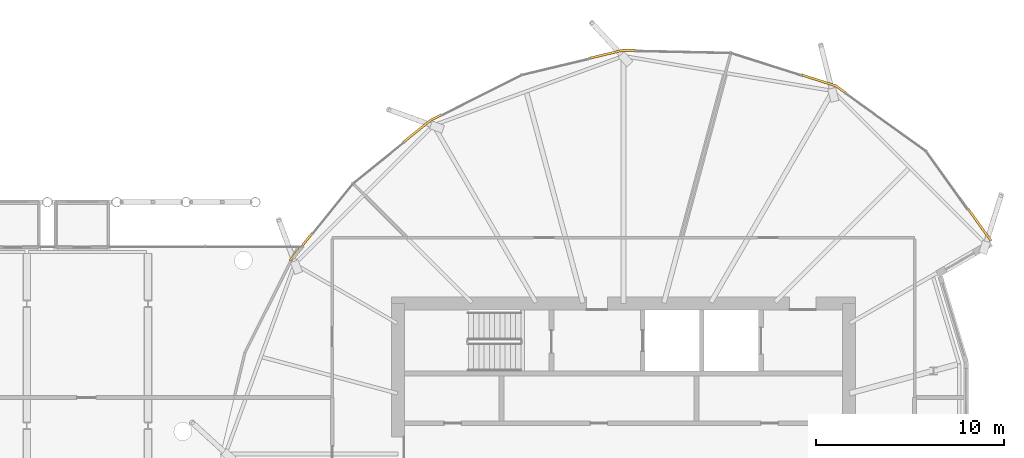
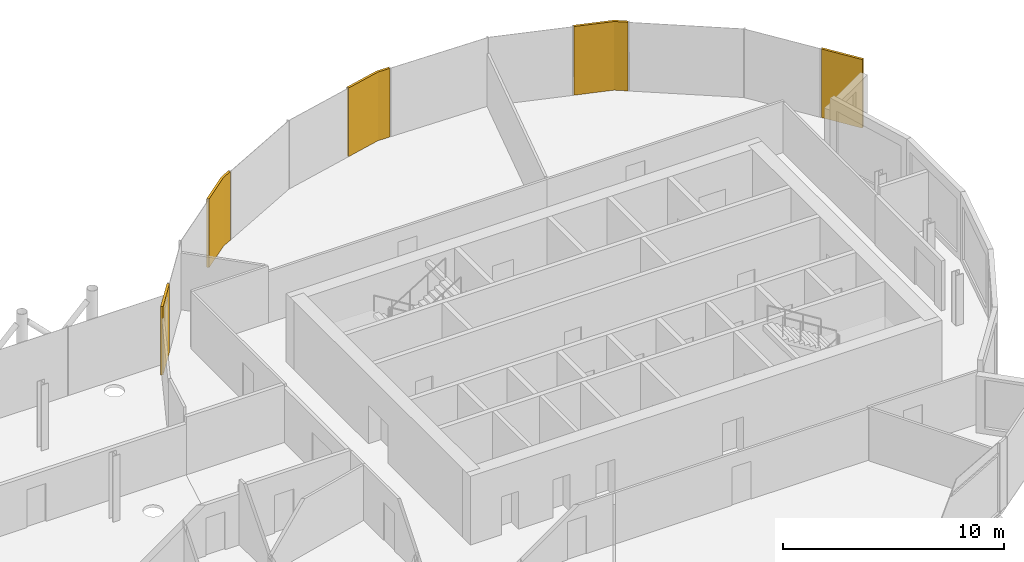
# One storey, part 39 of 39: 5 coverings.
"""IFC4 building model written with IfcOpenShell, lengths in metres."""

import ifcopenshell
import ifcopenshell.guid

model = None  # the IFC model being written
_history = None  # IfcOwnerHistory: only IFC2X3 demands one
_inside = {}  # id of a spatial element -> (the spatial element, [elements in it])
_under = {}  # id of a project, library or spatial element -> (it, [spatial elements below it])
_declared = {}  # id of a project -> (the project, [libraries it declares])
_typed = {}  # id of a type object -> (the type object, [elements of that type])
_made_of = {}  # id of a material, layer set ... -> (it, [elements and type objects made of it])


def new_model(schema):
    """Start an empty IFC model of exactly this schema.

    Asked for "IFC4X3", IfcOpenShell would pick the latest addendum, in which some entities
    have other attributes; the version numbers below select the first issue.
    IFC2X3 requires an IfcOwnerHistory on every rooted entity: one is made here for all.
    """
    global model, _history
    if schema == "IFC4X3":
        model = ifcopenshell.file(schema_version=(4, 3, 0, 0))
    else:
        model = ifcopenshell.file(schema=schema)
    _inside.clear()
    _under.clear()
    _declared.clear()
    _typed.clear()
    _made_of.clear()
    _history = None
    if model.schema == "IFC2X3":
        org = make("IfcOrganization", Name="unknown")
        user = make(
            "IfcPersonAndOrganization",
            ThePerson=make("IfcPerson", FamilyName="unknown"),
            TheOrganization=org,
        )
        app = make(
            "IfcApplication",
            ApplicationDeveloper=org,
            Version="unknown",
            ApplicationFullName="unknown",
            ApplicationIdentifier="unknown",
        )
        _history = make(
            "IfcOwnerHistory",
            OwningUser=user,
            OwningApplication=app,
            ChangeAction="ADDED",
            CreationDate=0,
        )
    return model


def make(cls, **values):
    """One entity of the class cls with the attributes given. An attribute that is None is left unset."""
    return model.create_entity(
        cls, **{name: value for name, value in values.items() if value is not None}
    )


def rooted(cls, **values):
    """An entity with a GlobalId (a new one), such as an element, a storey or a relation."""
    return make(cls, GlobalId=ifcopenshell.guid.new(), OwnerHistory=_history, **values)


def si_unit(unit_type, name, prefix=None):
    """IfcSIUnit, for example si_unit("LENGTHUNIT", "METRE", prefix="MILLI")."""
    return make("IfcSIUnit", UnitType=unit_type, Prefix=prefix, Name=name)


def assignment(units):
    """IfcUnitAssignment: the units of a project."""
    return None if units is None else make("IfcUnitAssignment", Units=units)


def point(xyz):
    """IfcCartesianPoint."""
    return None if xyz is None else make("IfcCartesianPoint", Coordinates=xyz)


def direction(xyz):
    """IfcDirection."""
    return None if xyz is None else make("IfcDirection", DirectionRatios=xyz)


def frame(location, z_axis=None, x_axis=None):
    """IfcAxis2Placement3D, a coordinate frame: its origin and axes. An axis left out is left unset."""
    return make(
        "IfcAxis2Placement3D",
        Location=point(location),
        Axis=direction(z_axis),
        RefDirection=direction(x_axis),
    )


def origin():
    """The frame at (0, 0, 0) with its axes left unset."""
    return frame((0.0, 0.0, 0.0))


def place(relative_to, where):
    """IfcLocalPlacement: puts the frame where relative to a parent placement (None: the world)."""
    return make(
        "IfcLocalPlacement", PlacementRelTo=relative_to, RelativePlacement=where
    )


def context(
    kind, dimensions, precision=None, world=None, true_north=None, identifier=None
):
    """IfcGeometricRepresentationContext, for example the 3D "Model" context."""
    return make(
        "IfcGeometricRepresentationContext",
        ContextIdentifier=identifier,
        ContextType=kind,
        CoordinateSpaceDimension=dimensions,
        Precision=precision,
        WorldCoordinateSystem=world,
        TrueNorth=true_north,
    )


def subcontext(parent, identifier, kind, view, scale=None):
    """IfcGeometricRepresentationSubContext, for example "Body" below "Model"."""
    return make(
        "IfcGeometricRepresentationSubContext",
        ContextIdentifier=identifier,
        ContextType=kind,
        ParentContext=parent,
        TargetScale=scale,
        TargetView=view,
    )


def project(units=None, contexts=None):
    """IfcProject with its units and contexts."""
    return rooted(
        "IfcProject",
        Name="project",
        RepresentationContexts=contexts,
        UnitsInContext=assignment(units),
    )


def spatial(cls, under=None, at=None, **own):
    """A site, building, storey or space (cls), placed at a placement, below another one or the project."""
    s = rooted(cls, ObjectPlacement=at, **own)
    if under is not None:
        _under.setdefault(under.id(), (under, []))[1].append(s)
    return s


def polyline(points):
    """IfcPolyline through the points."""
    return make("IfcPolyline", Points=[point(p) for p in points])


def outline(outer, holes=None, kind="AREA"):
    """IfcArbitraryClosedProfileDef: a profile drawn as a closed curve; with holes, ...WithVoids."""
    if holes is None:
        return make("IfcArbitraryClosedProfileDef", ProfileType=kind, OuterCurve=outer)
    return make(
        "IfcArbitraryProfileDefWithVoids",
        ProfileType=kind,
        OuterCurve=outer,
        InnerCurves=holes,
    )


def extrude(swept, where, along, depth):
    """IfcExtrudedAreaSolid: the profile swept, set in the frame where, extruded along a direction by depth."""
    return make(
        "IfcExtrudedAreaSolid",
        SweptArea=swept,
        Position=where,
        ExtrudedDirection=direction(along),
        Depth=depth,
    )


def shape(context_of_items, identifier, shape_type, items):
    """IfcShapeRepresentation: the items that make up one representation, for example the "Body"."""
    return make(
        "IfcShapeRepresentation",
        ContextOfItems=context_of_items,
        RepresentationIdentifier=identifier,
        RepresentationType=shape_type,
        Items=items,
    )


def material(Name=None, Category=None):
    """IfcMaterial."""
    return make("IfcMaterial", Name=Name, Category=Category)


def layer(
    of_material, thickness, ventilated=None, Name=None, Category=None, Priority=None
):
    """IfcMaterialLayer: one layer of a wall or slab, of a material (None: an air gap)."""
    return make(
        "IfcMaterialLayer",
        Material=of_material,
        LayerThickness=thickness,
        IsVentilated=ventilated,
        Name=Name,
        Category=Category,
        Priority=Priority,
    )


def layer_set(layers, Name=None):
    """IfcMaterialLayerSet."""
    return make("IfcMaterialLayerSet", MaterialLayers=layers, LayerSetName=Name)


def made_of(thing, what):
    """Note that an element or type object is made of a material, layer set ...; save() writes the relation."""
    if what is not None:
        _made_of.setdefault(what.id(), (what, []))[1].append(thing)
    return thing


def type_object(cls, material=None, **own):
    """A type object (cls), such as IfcWallType, which elements share."""
    return made_of(rooted(cls, **own), material)


def element(
    cls,
    number,
    at=None,
    inside=None,
    cuts=None,
    type_object=None,
    material=None,
    context=None,
    identifier="Body",
    shape_type=None,
    held_by="IfcProductDefinitionShape",
    body=None,
    shapes=None,
    **own,
):
    """One element of the class cls, such as IfcWall. Its Tag is "e" and its number.

    at: its placement. inside: the storey or other place that contains it. cuts: it is an
    opening in that element (IfcRelVoidsElement). A single representation is given by context,
    identifier, shape_type and body (its items); several are given by shapes. held_by: the class
    of the entity that holds the representations. save() writes the other relations.
    """
    e = rooted(cls, Tag="e%d" % number, ObjectPlacement=at, **own)
    if body is not None:
        shapes = [shape(context, identifier, shape_type, body)]
    if shapes is not None:
        e.Representation = make(held_by, Representations=shapes)
    if inside is not None:
        _inside.setdefault(inside.id(), (inside, []))[1].append(e)
    if cuts is not None:
        rooted(
            "IfcRelVoidsElement", RelatingBuildingElement=cuts, RelatedOpeningElement=e
        )
    if type_object is not None:
        _typed.setdefault(type_object.id(), (type_object, []))[1].append(e)
    return made_of(e, material)


def aggregate(whole, parts):
    """IfcRelAggregates: a whole, such as a stair, and the parts it consists of."""
    return rooted("IfcRelAggregates", RelatingObject=whole, RelatedObjects=parts)


def save(model, path):
    """Write the relations noted so far, then the file.

    IfcRelAggregates (storeys below a building ...), IfcRelContainedInSpatialStructure (elements
    in a storey), IfcRelDefinesByType, IfcRelAssociatesMaterial and IfcRelDeclares: one each for
    every whole, place, type object, material and project.
    """
    for whole, parts in _under.values():
        aggregate(whole, parts)
    for where, things in _inside.values():
        rooted(
            "IfcRelContainedInSpatialStructure",
            RelatedElements=things,
            RelatingStructure=where,
        )
    for kind, things in _typed.values():
        rooted("IfcRelDefinesByType", RelatedObjects=things, RelatingType=kind)
    for what, things in _made_of.values():
        rooted("IfcRelAssociatesMaterial", RelatedObjects=things, RelatingMaterial=what)
    for by, libraries in _declared.values():
        rooted("IfcRelDeclares", RelatingContext=by, RelatedDefinitions=libraries)
    model.write(path)


model = new_model("IFC4")

# Units and contexts
model_context = context("Model", 3, precision=1e-05, world=origin(), true_north=direction((0.0, 1.0)))
body_context = subcontext(model_context, "Body", "Model", "MODEL_VIEW")
ifc_project = project(units=[si_unit("LENGTHUNIT", "METRE"), si_unit("AREAUNIT", "SQUARE_METRE"), si_unit("VOLUMEUNIT", "CUBIC_METRE"), si_unit("PLANEANGLEUNIT", "RADIAN"), si_unit("MASSUNIT", "GRAM", prefix="KILO")], contexts=[model_context])

# Site, building, storey
site_placement = place(None, origin())
site = spatial("IfcSite", under=ifc_project, at=site_placement, CompositionType="ELEMENT")
building_placement = place(site_placement, origin())
building = spatial("IfcBuilding", under=site, at=building_placement, Name="Rimbun Link Towers", CompositionType="ELEMENT")
storey_placement = place(building_placement, frame((0.0, 0.0, 143.0)))
storey = spatial("IfcBuildingStorey", under=building, at=storey_placement, Name="L34", CompositionType="ELEMENT", Elevation=143.0)

# Coverings
ifc_material = material(Name="Terracotta", Category="masonry")
ifc_layer = layer(ifc_material, 0.1201171875)
ifc_layer_set = layer_set([ifc_layer], Name="LINK PIER terracotta cladding 120")
covering_type = type_object("IfcCoveringType", Name="LINK PIER terracotta cladding 120", PredefinedType="CLADDING", material=ifc_layer_set)
covering_1_placement = place(storey_placement, origin())
element("IfcCovering", 1, at=covering_1_placement, inside=storey, type_object=covering_type, Name="LINK PIER cladding", PredefinedType="CLADDING", context=body_context, shape_type="SweptSolid", body=[
    extrude(outline(polyline([(41.2490234375, 20.10595703125), (43.031005859375, 19.539306640625), (43.53466796875, 19.177734375), (43.604736328125, 19.275390625), (43.08544921875, 19.64794921875), (41.285400390625, 20.220458984375), (41.2490234375, 20.10595703125)])), origin(), (0.0, 0.0, 1.0), 3.800048828125),
])
covering_2_placement = place(storey_placement, origin())
element("IfcCovering", 2, at=covering_2_placement, inside=storey, type_object=covering_type, Name="LINK PIER cladding", PredefinedType="CLADDING", context=body_context, shape_type="SweptSolid", body=[
    extrude(outline(polyline([(29.97998046875, 21.0078125), (31.75, 21.43115234375), (32.369873046875, 21.418212890625), (32.372314453125, 21.5380859375), (31.737060546875, 21.551513671875), (29.951904296875, 21.12451171875), (29.97998046875, 21.0078125)])), origin(), (0.0, 0.0, 1.0), 3.800048828125),
])
covering_3_placement = place(storey_placement, origin())
element("IfcCovering", 3, at=covering_3_placement, inside=storey, type_object=covering_type, Name="LINK PIER cladding", PredefinedType="CLADDING", context=body_context, shape_type="SweptSolid", body=[
    extrude(outline(polyline([(20.10791015625, 16.569580078125), (21.5224609375, 17.714599609375), (22.031982421875, 17.970458984375), (21.97802734375, 18.07763671875), (21.45703125, 17.81591796875), (20.032470703125, 16.662841796875), (20.10791015625, 16.569580078125)])), origin(), (0.0, 0.0, 1.0), 3.800048828125),
])
covering_4_placement = place(storey_placement, origin())
element("IfcCovering", 4, at=covering_4_placement, inside=storey, type_object=covering_type, Name="LINK PIER cladding", PredefinedType="CLADDING", context=body_context, shape_type="SweptSolid", body=[
    extrude(outline(polyline([(14.05419921875, 10.250732421875), (15.2119140625, 11.680908203125), (15.11865234375, 11.756591796875), (13.9609375, 10.326416015625), (14.05419921875, 10.250732421875)])), origin(), (0.0, 0.0, 1.0), 3.800048828125),
])
covering_5_placement = place(storey_placement, origin())
element("IfcCovering", 5, at=covering_5_placement, inside=storey, type_object=covering_type, Name="LINK PIER cladding", PredefinedType="CLADDING", context=body_context, shape_type="SweptSolid", body=[
    extrude(outline(polyline([(50.08251953125, 12.962890625), (51.271728515625, 11.305419921875), (51.369384765625, 11.375244140625), (50.179931640625, 13.03271484375), (50.08251953125, 12.962890625)])), origin(), (0.0, 0.0, 1.0), 3.800048828125),
])

save(model, "model.ifc")
